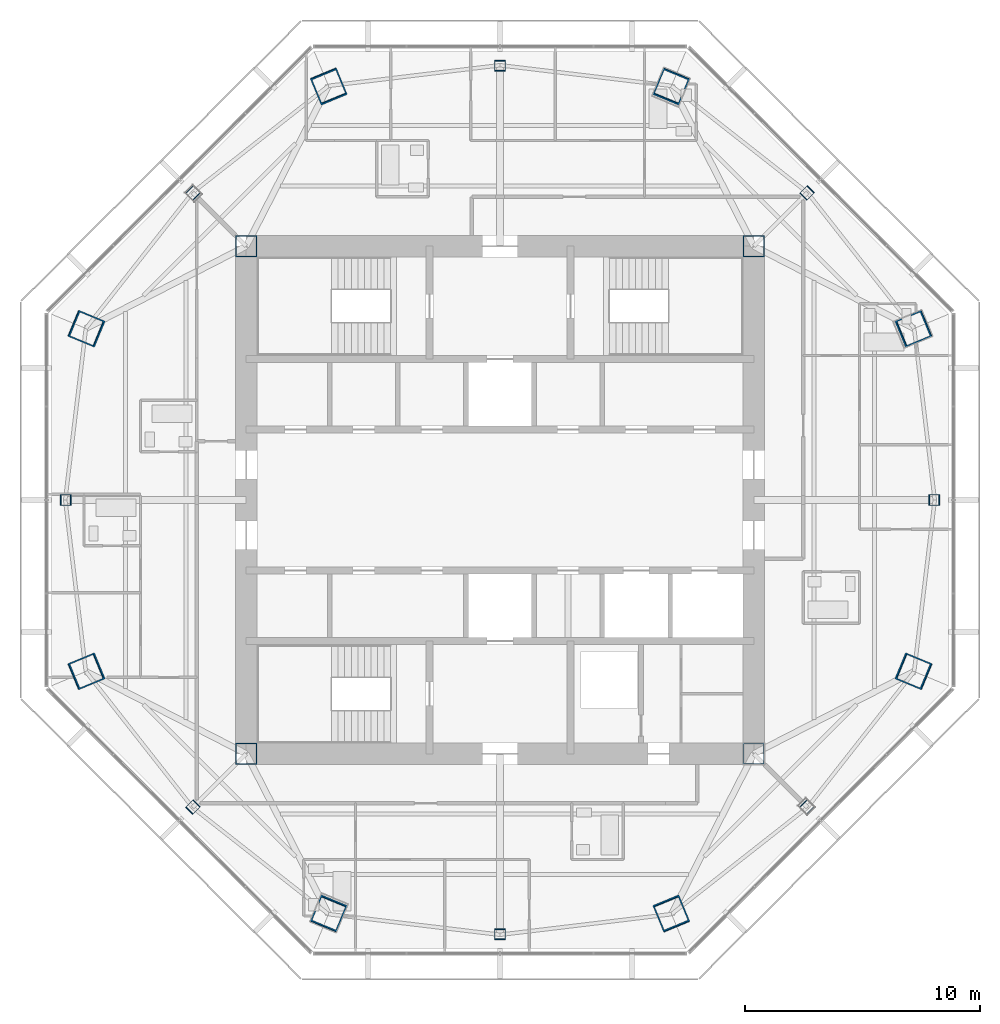
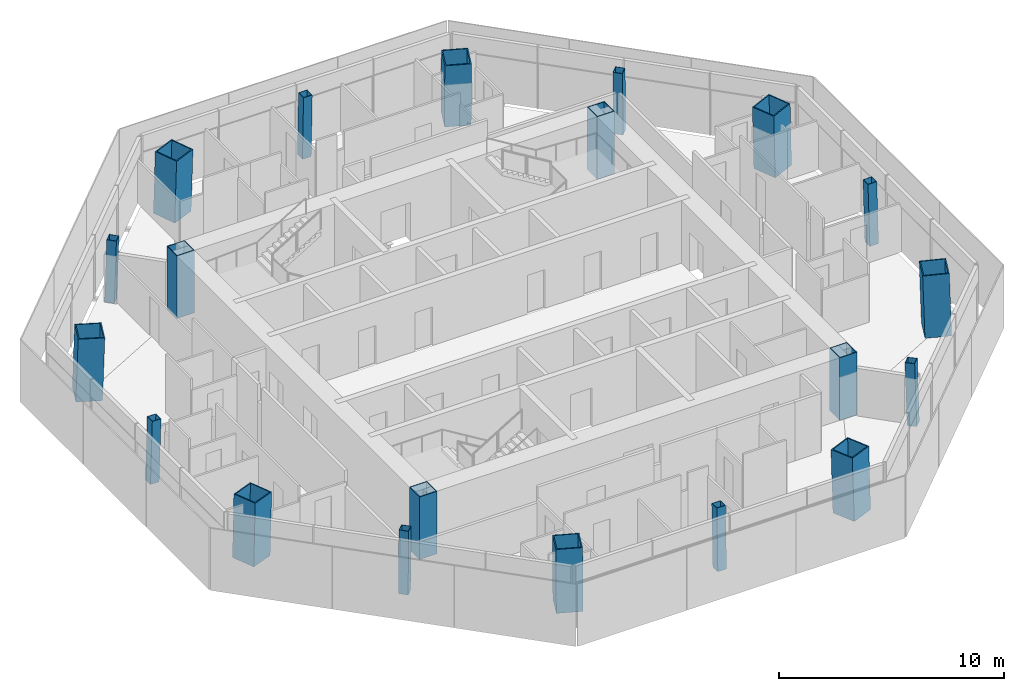
# One storey, part 1 of 15: 20 columns.
"""IFC4 building model written with IfcOpenShell, lengths in metres."""

from ifc_helpers import new_model, si_unit, direction, frame, origin, origin_2d, place, context, subcontext, project, spatial, hollow_rectangle, extrude, material, material_profile, profile_set, type_object, element, save


model = new_model("IFC4")

# Units and contexts
model_context = context("Model", 3, precision=1e-05, world=origin(), true_north=direction((0.0, 1.0)))
body_context = subcontext(model_context, "Body", "Model", "MODEL_VIEW")
ifc_project = project(units=[si_unit("LENGTHUNIT", "METRE"), si_unit("AREAUNIT", "SQUARE_METRE"), si_unit("VOLUMEUNIT", "CUBIC_METRE"), si_unit("PLANEANGLEUNIT", "RADIAN"), si_unit("MASSUNIT", "GRAM", prefix="KILO")], contexts=[model_context])

# Site, building, storey
site_placement = place(None, origin())
site = spatial("IfcSite", under=ifc_project, at=site_placement, CompositionType="ELEMENT")
building_placement = place(site_placement, origin())
building = spatial("IfcBuilding", under=site, at=building_placement, Name="Mashrafa Tower", CompositionType="ELEMENT")
storey_placement = place(building_placement, frame((0.0, 0.0, 308.199951171875)))
storey = spatial("IfcBuildingStorey", under=building, at=storey_placement, Name="L76", CompositionType="ELEMENT", Elevation=308.199951171875)

# Columns
ifc_material_1 = material(Name="Steel ASTM A572 Gr 50", Category="steel")
ifc_material_profile_1 = material_profile(ifc_material_1, hollow_rectangle(XDim=0.89990234375, YDim=0.89990234375, WallThickness=0.0400390625, at=origin_2d()), Name="BOX900X900X40")
ifc_profile_set_1 = profile_set([ifc_material_profile_1], Name="Steel ASTM A572 Gr 50")
column_type_1 = type_object("IfcColumnType", Name="Core corner column BOX900X900X40", PredefinedType="COLUMN", material=ifc_profile_set_1)
for number, where, z_axis, x_axis, name in (
    (1, (10.800048828125, 10.800048828125, 0.0), (0.0, 0.0, 1.0), (1.0, 0.0, 0.0), "Core corner column CC-NE L76"),
    (2, (-10.800048828125, 10.800048828125, 0.0), (0.0, 0.0, 1.0), (1.0, 0.0, 0.0), "Core corner column CC-NW L76"),
    (3, (-10.800048828125, -10.800048828125, 0.0), (0.0, 0.0, 1.0), (1.0, 0.0, 0.0), "Core corner column CC-SW L76"),
    (4, (10.800048828125, -10.800048828125, 0.0), (0.0, 0.0, 1.0), (1.0, 0.0, 0.0), "Core corner column CC-SE L76"),
):
    element("IfcColumn", number, at=place(storey_placement, frame(where, z_axis=z_axis, x_axis=x_axis)), inside=storey, type_object=column_type_1, Name=name, PredefinedType="COLUMN", context=body_context, shape_type="SweptSolid", body=[
        extrude(hollow_rectangle(XDim=0.89990234375, YDim=0.89990234375, WallThickness=0.0400390625, at=origin_2d()), origin(), (0.0, 0.0, 1.0), 3.400146484375),
    ])
ifc_material_2 = material(Name="Steel ASTM A572 Gr 50", Category="steel")
ifc_material_profile_2 = material_profile(ifc_material_2, hollow_rectangle(XDim=1.199951171875, YDim=1.199951171875, WallThickness=0.054931640625, at=origin_2d()), Name="BOX1200X1200X55")
ifc_profile_set_2 = profile_set([ifc_material_profile_2], Name="Steel ASTM A572 Gr 50")
column_type_2 = type_object("IfcColumnType", Name="Mega column CFST BOX1200X1200X55", PredefinedType="COLUMN", material=ifc_profile_set_2)
for number, where, z_axis, x_axis, name in (
    (5, (17.617919921875, 7.297607421875, 0.0), (-0.028277121884, -0.011698403216, 0.999531666202), (0.382282742426, -0.924045401938, 0.0), "Mega column MC1 L76"),
    (6, (7.297607421875, 17.617919921875, 0.0), (-0.011698403216, -0.028277121884, 0.999531666202), (0.924045401938, -0.382282742426, 0.0), "Mega column MC2 L76"),
    (7, (-7.297607421875, 17.617919921875, 0.0), (0.011698403216, -0.028277121884, 0.999531666202), (0.924045401938, 0.382282742426, 0.0), "Mega column MC3 L76"),
    (8, (-17.617919921875, 7.297607421875, 0.0), (0.028277121884, -0.011698403216, 0.999531666202), (0.382282742426, 0.924045401938, 0.0), "Mega column MC4 L76"),
    (9, (-17.617919921875, -7.297607421875, 0.0), (0.028277121884, 0.011698403216, 0.999531666202), (-0.382282742426, 0.924045401938, 0.0), "Mega column MC5 L76"),
    (10, (-7.297607421875, -17.617919921875, 0.0), (0.011698403216, 0.028277121884, 0.999531666202), (-0.924045401938, 0.382282742426, 0.0), "Mega column MC6 L76"),
    (11, (7.297607421875, -17.617919921875, 0.0), (-0.011698403216, 0.028277121884, 0.999531666202), (-0.924045401938, -0.382282742426, 0.0), "Mega column MC7 L76"),
    (12, (17.617919921875, -7.297607421875, 0.0), (-0.028277121884, 0.011698403216, 0.999531666202), (-0.382282742426, -0.924045401938, 0.0), "Mega column MC8 L76"),
):
    element("IfcColumn", number, at=place(storey_placement, frame(where, z_axis=z_axis, x_axis=x_axis)), inside=storey, type_object=column_type_2, Name=name, PredefinedType="COLUMN", context=body_context, shape_type="SweptSolid", body=[
        extrude(hollow_rectangle(XDim=1.199951171875, YDim=1.199951171875, WallThickness=0.054931640625, at=origin_2d()), origin(), (0.0, 0.0, 1.0), 3.40185546875),
    ])
ifc_material_3 = material(Name="Steel ASTM A572 Gr 50", Category="steel")
ifc_material_profile_3 = material_profile(ifc_material_3, hollow_rectangle(XDim=0.449951171875, YDim=0.449951171875, WallThickness=0.02001953125, at=origin_2d()), Name="BOX450X450X20")
ifc_profile_set_3 = profile_set([ifc_material_profile_3], Name="Steel ASTM A572 Gr 50")
column_type_3 = type_object("IfcColumnType", Name="Secondary column BOX450X450X20", PredefinedType="COLUMN", material=ifc_profile_set_3)
for number, where, z_axis, x_axis, name in (
    (13, (18.49609375, 0.0, 0.0), (-0.028279056982, 0.0, 0.999600067495), (0.0, -1.0, 0.0), "Secondary column SC1 L76"),
    (14, (13.078857421875, 13.078857421875, 0.0), (-0.020024994503, -0.020024994503, 0.999598919162), (0.707106781187, -0.707106781187, 0.0), "Secondary column SC2 L76"),
    (15, (0.0, 18.49609375, 0.0), (0.0, -0.028279056982, 0.999600067495), (1.0, 0.0, 0.0), "Secondary column SC3 L76"),
    (16, (-13.078857421875, 13.078857421875, 0.0), (0.020024994503, -0.020024994503, 0.999598919162), (0.707106781187, 0.707106781187, 0.0), "Secondary column SC4 L76"),
    (17, (-18.49609375, 0.0, 0.0), (0.028279056982, 0.0, 0.999600067495), (0.0, 1.0, 0.0), "Secondary column SC5 L76"),
    (18, (-13.078857421875, -13.078857421875, 0.0), (0.020024994503, 0.020024994503, 0.999598919162), (-0.707106781187, 0.707106781187, 0.0), "Secondary column SC6 L76"),
    (19, (0.0, -18.49609375, 0.0), (0.0, 0.028279056982, 0.999600067495), (-1.0, 0.0, 0.0), "Secondary column SC7 L76"),
    (20, (13.078857421875, -13.078857421875, 0.0), (-0.020024994503, 0.020024994503, 0.999598919162), (-0.707106781187, -0.707106781187, 0.0), "Secondary column SC8 L76"),
):
    element("IfcColumn", number, at=place(storey_placement, frame(where, z_axis=z_axis, x_axis=x_axis)), inside=storey, type_object=column_type_3, Name=name, PredefinedType="COLUMN", context=body_context, shape_type="SweptSolid", body=[
        extrude(hollow_rectangle(XDim=0.449951171875, YDim=0.449951171875, WallThickness=0.02001953125, at=origin_2d()), origin(), (0.0, 0.0, 1.0), 3.401611328125),
    ])

save(model, "model.ifc")
